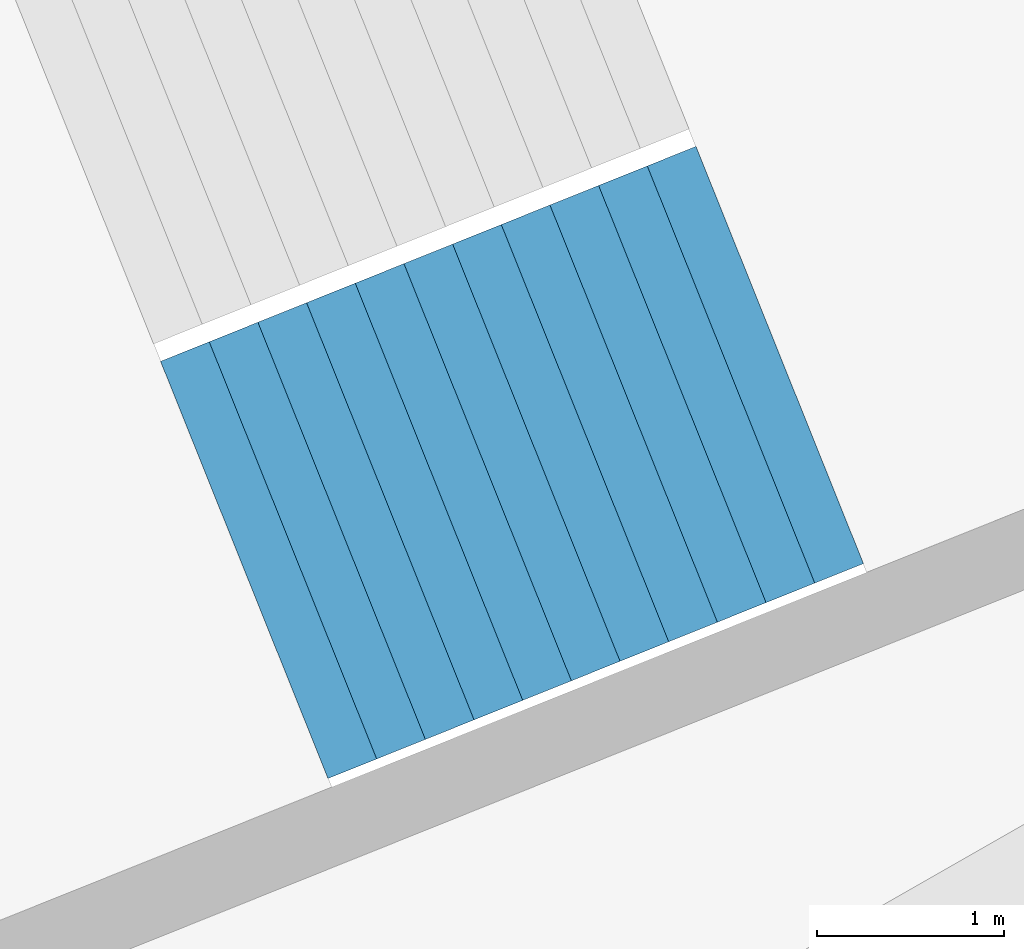
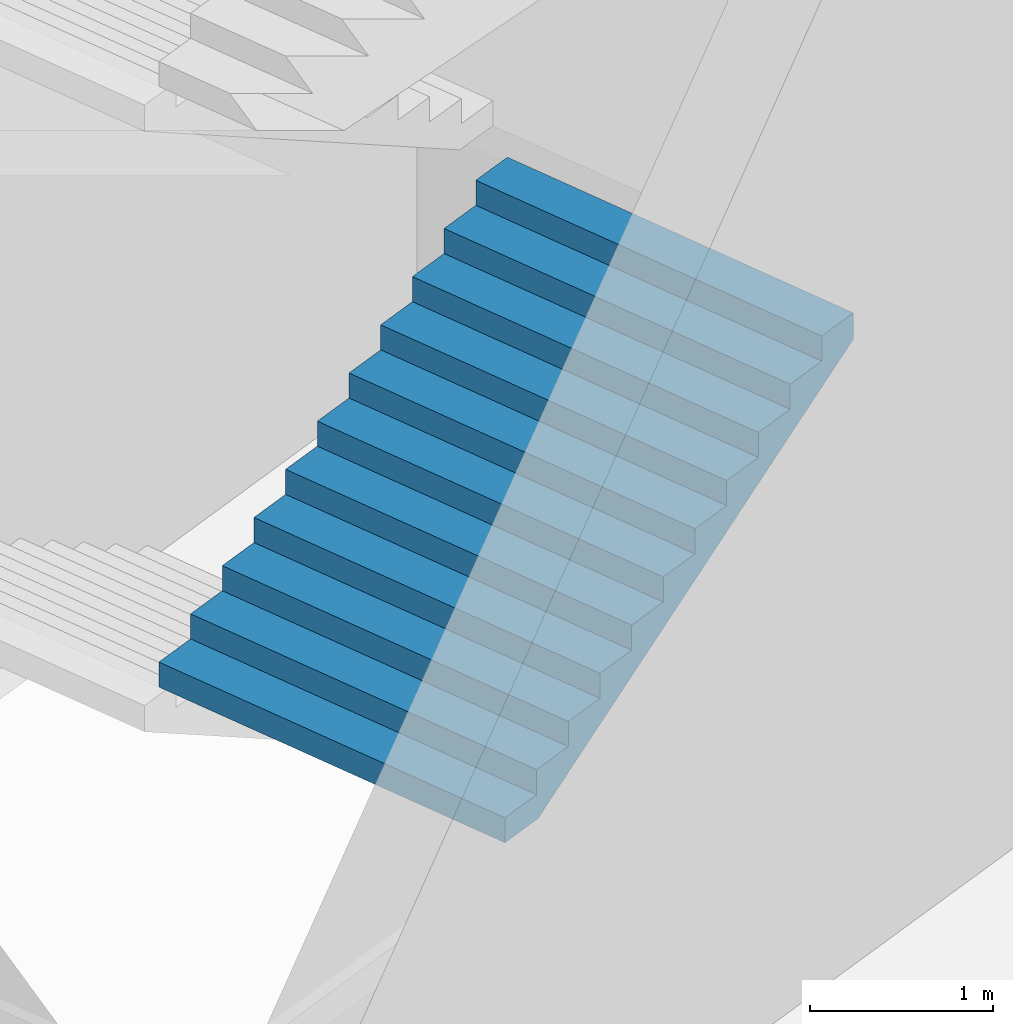
# One storey, part 18 of 74: 1 stair flight, 1 element without a shape of its own.
"""IFC4 building model written with IfcOpenShell, lengths in metres."""

from ifc_helpers import new_model, si_unit, direction, frame, origin, place, context, subcontext, project, spatial, triangles, material, type_object, element, aggregate, save


model = new_model("IFC4")

# Units and contexts
model_context = context("Model", 3, precision=1e-05, world=origin(), true_north=direction((0.0, 1.0)))
body_context = subcontext(model_context, "Body", "Model", "MODEL_VIEW")
ifc_project = project(units=[si_unit("LENGTHUNIT", "METRE"), si_unit("AREAUNIT", "SQUARE_METRE"), si_unit("VOLUMEUNIT", "CUBIC_METRE"), si_unit("PLANEANGLEUNIT", "RADIAN"), si_unit("MASSUNIT", "GRAM", prefix="KILO")], contexts=[model_context])

# Site, building, storey
site_placement = place(None, origin())
site = spatial("IfcSite", under=ifc_project, at=site_placement, CompositionType="ELEMENT")
building_placement = place(site_placement, origin())
building = spatial("IfcBuilding", under=site, at=building_placement, Name="Lantaw Convention Tower", CompositionType="ELEMENT")
storey_placement = place(building_placement, frame((0.0, 0.0, 6.5)))
storey = spatial("IfcBuildingStorey", under=building, at=storey_placement, Name="L01", CompositionType="ELEMENT", Elevation=6.5)

# Stair, stair flight
ifc_material = material(Name="Concrete C35/45", Category="concrete")
stair_type = type_object("IfcStairType", Name="Exit stair 2400 riser 166.67 in 4 flights", PredefinedType="HALF_TURN_STAIR", material=ifc_material)
stair_placement = place(storey_placement, origin())
stair = element("IfcStair", 1, at=stair_placement, inside=storey, type_object=stair_type, Name="Podium exit stair P11 L01", PredefinedType="HALF_TURN_STAIR")
stair_flight_type = type_object("IfcStairFlightType", Name="Stair flight 2400 riser 166.67", PredefinedType="STRAIGHT", material=ifc_material)
stair_flight_placement = place(storey_placement, frame((-31.944580078125, -14.1708984375, 2.0), z_axis=(0.0, 0.0, 1.0), x_axis=(0.928015168305, 0.372542410198, 0.0)))
stair_flight = element("IfcStairFlight", 2, at=stair_flight_placement, type_object=stair_flight_type, Name="P11 flight 2", NumberOfRisers=12, NumberOfTreads=11, PredefinedType="STRAIGHT", RiserHeight=0.166666667, TreadLength=0.28, context=body_context, shape_type="Tessellation", body=[
    triangles([(0.0, 1.199951171875, 0.0), (0.0, 1.199951171875, 0.166666667), (0.28, 1.199951171875, 0.0), (0.28, 1.199951171875, 0.166666667), (0.28, 1.199951171875, 0.333333334), (0.29307345806906726, 1.199951171875, 0.0), (0.29307345806906726, 1.199951171875, 0.333333334), (0.56, 1.199951171875, 0.15888484670522965), (0.56, 1.199951171875, 0.333333334), (0.56, 1.199951171875, 0.500000001), (0.8400000000000001, 1.199951171875, 0.3255515137052296), (0.8400000000000001, 1.199951171875, 0.500000001), (0.8400000000000001, 1.199951171875, 0.666666668), (1.12, 1.199951171875, 0.4922181807052296), (1.12, 1.199951171875, 0.666666668), (1.12, 1.199951171875, 0.833333335), (1.4000000000000001, 1.199951171875, 0.6588848477052296), (1.4000000000000001, 1.199951171875, 0.833333335), (1.4000000000000001, 1.199951171875, 1.000000002), (1.6800000000000002, 1.199951171875, 0.8255515147052296), (1.6800000000000002, 1.199951171875, 1.000000002), (1.6800000000000002, 1.199951171875, 1.166666669), (1.9600000000000002, 1.199951171875, 0.9922181817052296), (1.9600000000000002, 1.199951171875, 1.166666669), (1.9600000000000002, 1.199951171875, 1.333333336), (2.24, 1.199951171875, 1.1588848487052295), (2.24, 1.199951171875, 1.333333336), (2.24, 1.199951171875, 1.5000000029999998), (2.5200000000000005, 1.199951171875, 1.3255515157052296), (2.5200000000000005, 1.199951171875, 1.5000000029999998), (2.5200000000000005, 1.199951171875, 1.66666667), (2.8000000000000003, 1.199951171875, 1.4922181827052294), (2.8000000000000003, 1.199951171875, 1.66666667), (2.8000000000000003, 1.199951171875, 1.833333337), (3.08, 1.199951171875, 1.6588848497052293), (3.08, 1.199951171875, 1.833333337), (0.0, -1.199951171875, 0.0), (0.0, -1.199951171875, 0.166666667), (0.28, -1.199951171875, 0.0), (0.28, -1.199951171875, 0.166666667), (0.28, -1.199951171875, 0.333333334), (0.29307345806906726, -1.199951171875, 0.0), (0.29307345806906726, -1.199951171875, 0.333333334), (0.56, -1.199951171875, 0.15888484670522965), (0.56, -1.199951171875, 0.333333334), (0.56, -1.199951171875, 0.500000001), (0.8400000000000001, -1.199951171875, 0.3255515137052296), (0.8400000000000001, -1.199951171875, 0.500000001), (0.8400000000000001, -1.199951171875, 0.666666668), (1.12, -1.199951171875, 0.4922181807052296), (1.12, -1.199951171875, 0.666666668), (1.12, -1.199951171875, 0.833333335), (1.4000000000000001, -1.199951171875, 0.6588848477052296), (1.4000000000000001, -1.199951171875, 0.833333335), (1.4000000000000001, -1.199951171875, 1.000000002), (1.6800000000000002, -1.199951171875, 0.8255515147052296), (1.6800000000000002, -1.199951171875, 1.000000002), (1.6800000000000002, -1.199951171875, 1.166666669), (1.9600000000000002, -1.199951171875, 0.9922181817052296), (1.9600000000000002, -1.199951171875, 1.166666669), (1.9600000000000002, -1.199951171875, 1.333333336), (2.24, -1.199951171875, 1.1588848487052295), (2.24, -1.199951171875, 1.333333336), (2.24, -1.199951171875, 1.5000000029999998), (2.5200000000000005, -1.199951171875, 1.3255515157052296), (2.5200000000000005, -1.199951171875, 1.5000000029999998), (2.5200000000000005, -1.199951171875, 1.66666667), (2.8000000000000003, -1.199951171875, 1.4922181827052294), (2.8000000000000003, -1.199951171875, 1.66666667), (2.8000000000000003, -1.199951171875, 1.833333337), (3.08, -1.199951171875, 1.6588848497052293), (3.08, -1.199951171875, 1.833333337), (0.0, 0.239990234375, 0.166666667), (0.0, 0.239990234375, 0.0), (0.0, 0.1199951171875, 0.166666667), (0.0, 0.1199951171875, 0.0), (0.0, 0.0, 0.166666667), (0.0, 0.0, 0.0), (0.0, -0.1199951171875, 0.166666667), (0.0, -0.1199951171875, 0.0), (0.0, -0.239990234375, 0.166666667), (0.0, -0.239990234375, 0.0), (0.28, 0.239990234375, 0.333333334), (0.28, 0.239990234375, 0.166666667), (0.28, 0.1199951171875, 0.333333334), (0.28, 0.1199951171875, 0.166666667), (0.28, 0.0, 0.333333334), (0.28, 0.0, 0.166666667), (0.28, -0.1199951171875, 0.333333334), (0.28, -0.1199951171875, 0.166666667), (0.28, -0.239990234375, 0.333333334), (0.28, -0.239990234375, 0.166666667), (0.56, 0.239990234375, 0.500000001), (0.56, 0.239990234375, 0.333333334), (0.56, 0.1199951171875, 0.500000001), (0.56, 0.1199951171875, 0.333333334), (0.56, 0.0, 0.500000001), (0.56, 0.0, 0.333333334), (0.56, -0.1199951171875, 0.500000001), (0.56, -0.1199951171875, 0.333333334), (0.56, -0.239990234375, 0.500000001), (0.56, -0.239990234375, 0.333333334), (0.8400000000000001, 0.239990234375, 0.666666668), (0.8400000000000001, 0.239990234375, 0.500000001), (0.8400000000000001, 0.1199951171875, 0.666666668), (0.8400000000000001, 0.1199951171875, 0.500000001), (0.8400000000000001, 0.0, 0.666666668), (0.8400000000000001, 0.0, 0.500000001), (0.8400000000000001, -0.1199951171875, 0.666666668), (0.8400000000000001, -0.1199951171875, 0.500000001), (0.8400000000000001, -0.239990234375, 0.666666668), (0.8400000000000001, -0.239990234375, 0.500000001), (1.12, 0.239990234375, 0.833333335), (1.12, 0.239990234375, 0.666666668), (1.12, 0.1199951171875, 0.833333335), (1.12, 0.1199951171875, 0.666666668), (1.12, 0.0, 0.833333335), (1.12, 0.0, 0.666666668), (1.12, -0.1199951171875, 0.833333335), (1.12, -0.1199951171875, 0.666666668), (1.12, -0.239990234375, 0.833333335), (1.12, -0.239990234375, 0.666666668), (1.4000000000000001, 0.239990234375, 1.000000002), (1.4000000000000001, 0.239990234375, 0.833333335), (1.4000000000000001, 0.1199951171875, 1.000000002), (1.4000000000000001, 0.1199951171875, 0.833333335), (1.4000000000000001, 0.0, 1.000000002), (1.4000000000000001, 0.0, 0.833333335), (1.4000000000000001, -0.1199951171875, 1.000000002), (1.4000000000000001, -0.1199951171875, 0.833333335), (1.4000000000000001, -0.239990234375, 1.000000002), (1.4000000000000001, -0.239990234375, 0.833333335), (1.6800000000000002, 0.239990234375, 1.166666669), (1.6800000000000002, 0.239990234375, 1.000000002), (1.6800000000000002, 0.1199951171875, 1.166666669), (1.6800000000000002, 0.1199951171875, 1.000000002), (1.6800000000000002, 0.0, 1.166666669), (1.6800000000000002, 0.0, 1.000000002), (1.6800000000000002, -0.1199951171875, 1.166666669), (1.6800000000000002, -0.1199951171875, 1.000000002), (1.6800000000000002, -0.239990234375, 1.166666669), (1.6800000000000002, -0.239990234375, 1.000000002), (1.9600000000000002, 0.239990234375, 1.333333336), (1.9600000000000002, 0.239990234375, 1.166666669), (1.9600000000000002, 0.1199951171875, 1.333333336), (1.9600000000000002, 0.1199951171875, 1.166666669), (1.9600000000000002, 0.0, 1.333333336), (1.9600000000000002, 0.0, 1.166666669), (1.9600000000000002, -0.1199951171875, 1.333333336), (1.9600000000000002, -0.1199951171875, 1.166666669), (1.9600000000000002, -0.239990234375, 1.333333336), (1.9600000000000002, -0.239990234375, 1.166666669), (2.24, 0.239990234375, 1.5000000029999998), (2.24, 0.239990234375, 1.333333336), (2.24, 0.1199951171875, 1.5000000029999998), (2.24, 0.1199951171875, 1.333333336), (2.24, 0.0, 1.5000000029999998), (2.24, 0.0, 1.333333336), (2.24, -0.1199951171875, 1.5000000029999998), (2.24, -0.1199951171875, 1.333333336), (2.24, -0.239990234375, 1.5000000029999998), (2.24, -0.239990234375, 1.333333336), (2.5200000000000005, 0.239990234375, 1.66666667), (2.5200000000000005, 0.239990234375, 1.5000000029999998), (2.5200000000000005, 0.1199951171875, 1.66666667), (2.5200000000000005, 0.1199951171875, 1.5000000029999998), (2.5200000000000005, 0.0, 1.66666667), (2.5200000000000005, 0.0, 1.5000000029999998), (2.5200000000000005, -0.1199951171875, 1.66666667), (2.5200000000000005, -0.1199951171875, 1.5000000029999998), (2.5200000000000005, -0.239990234375, 1.66666667), (2.5200000000000005, -0.239990234375, 1.5000000029999998), (2.8000000000000003, 0.239990234375, 1.833333337), (2.8000000000000003, 0.239990234375, 1.66666667), (2.8000000000000003, 0.1199951171875, 1.833333337), (2.8000000000000003, 0.1199951171875, 1.66666667), (2.8000000000000003, 0.0, 1.833333337), (2.8000000000000003, 0.0, 1.66666667), (2.8000000000000003, -0.1199951171875, 1.833333337), (2.8000000000000003, -0.1199951171875, 1.66666667), (2.8000000000000003, -0.239990234375, 1.833333337), (2.8000000000000003, -0.239990234375, 1.66666667), (0.29307345806906726, 0.239990234375, 0.333333334), (0.29307345806906726, 0.1199951171875, 0.333333334), (0.29307345806906726, 0.0, 0.333333334), (0.29307345806906726, -0.1199951171875, 0.333333334), (0.29307345806906726, -0.239990234375, 0.333333334), (3.08, 0.239990234375, 1.833333337), (3.08, 0.1199951171875, 1.833333337), (3.08, 0.0, 1.833333337), (3.08, -0.1199951171875, 1.833333337), (3.08, -0.239990234375, 1.833333337), (3.08, 0.239990234375, 1.6588848497052293), (3.08, 0.1199951171875, 1.6588848497052293), (3.08, 0.0, 1.6588848497052293), (3.08, -0.1199951171875, 1.6588848497052293), (3.08, -0.239990234375, 1.6588848497052293), (2.8000000000000003, 0.239990234375, 1.4922181827052294), (2.8000000000000003, 0.1199951171875, 1.4922181827052294), (2.8000000000000003, 0.0, 1.4922181827052294), (2.8000000000000003, -0.1199951171875, 1.4922181827052294), (2.8000000000000003, -0.239990234375, 1.4922181827052294), (2.5200000000000005, 0.239990234375, 1.3255515157052296), (2.5200000000000005, 0.1199951171875, 1.3255515157052296), (2.5200000000000005, 0.0, 1.3255515157052296), (2.5200000000000005, -0.1199951171875, 1.3255515157052296), (2.5200000000000005, -0.239990234375, 1.3255515157052296), (2.24, 0.239990234375, 1.1588848487052295), (2.24, 0.1199951171875, 1.1588848487052295), (2.24, 0.0, 1.1588848487052295), (2.24, -0.1199951171875, 1.1588848487052295), (2.24, -0.239990234375, 1.1588848487052295), (1.9600000000000002, 0.239990234375, 0.9922181817052296), (1.9600000000000002, 0.1199951171875, 0.9922181817052296), (1.9600000000000002, 0.0, 0.9922181817052296), (1.9600000000000002, -0.1199951171875, 0.9922181817052296), (1.9600000000000002, -0.239990234375, 0.9922181817052296), (1.6800000000000002, 0.239990234375, 0.8255515147052296), (1.6800000000000002, 0.1199951171875, 0.8255515147052296), (1.6800000000000002, 0.0, 0.8255515147052296), (1.6800000000000002, -0.1199951171875, 0.8255515147052296), (1.6800000000000002, -0.239990234375, 0.8255515147052296), (1.4000000000000001, 0.239990234375, 0.6588848477052296), (1.4000000000000001, 0.1199951171875, 0.6588848477052296), (1.4000000000000001, 0.0, 0.6588848477052296), (1.4000000000000001, -0.1199951171875, 0.6588848477052296), (1.4000000000000001, -0.239990234375, 0.6588848477052296), (1.12, 0.239990234375, 0.4922181807052296), (1.12, 0.1199951171875, 0.4922181807052296), (1.12, 0.0, 0.4922181807052296), (1.12, -0.1199951171875, 0.4922181807052296), (1.12, -0.239990234375, 0.4922181807052296), (0.8400000000000001, 0.239990234375, 0.3255515137052296), (0.8400000000000001, 0.1199951171875, 0.3255515137052296), (0.8400000000000001, 0.0, 0.3255515137052296), (0.8400000000000001, -0.1199951171875, 0.3255515137052296), (0.8400000000000001, -0.239990234375, 0.3255515137052296), (0.56, 0.239990234375, 0.15888484670522965), (0.56, 0.1199951171875, 0.15888484670522965), (0.56, 0.0, 0.15888484670522965), (0.56, -0.1199951171875, 0.15888484670522965), (0.56, -0.239990234375, 0.15888484670522965), (0.29307345806906726, 0.239990234375, 0.0), (0.29307345806906726, 0.1199951171875, 0.0), (0.29307345806906726, 0.0, 0.0), (0.29307345806906726, -0.1199951171875, 0.0), (0.29307345806906726, -0.239990234375, 0.0), (0.28, 0.239990234375, 0.0), (0.28, 0.1199951171875, 0.0), (0.28, 0.0, 0.0), (0.28, -0.1199951171875, 0.0), (0.28, -0.239990234375, 0.0)], [[1, 4, 3], [1, 2, 4], [3, 4, 6], [4, 7, 6], [4, 5, 7], [6, 9, 8], [6, 7, 9], [8, 9, 11], [9, 12, 11], [9, 10, 12], [11, 12, 14], [12, 15, 14], [12, 13, 15], [14, 15, 17], [15, 18, 17], [15, 16, 18], [17, 18, 20], [18, 21, 20], [18, 19, 21], [20, 21, 23], [21, 24, 23], [21, 22, 24], [23, 24, 26], [24, 27, 26], [24, 25, 27], [26, 27, 29], [27, 30, 29], [27, 28, 30], [29, 30, 32], [30, 33, 32], [30, 31, 33], [32, 33, 35], [33, 36, 35], [33, 34, 36], [37, 39, 40], [37, 40, 38], [39, 42, 40], [40, 42, 43], [40, 43, 41], [42, 44, 45], [42, 45, 43], [44, 47, 45], [45, 47, 48], [45, 48, 46], [47, 50, 48], [48, 50, 51], [48, 51, 49], [50, 53, 51], [51, 53, 54], [51, 54, 52], [53, 56, 54], [54, 56, 57], [54, 57, 55], [56, 59, 57], [57, 59, 60], [57, 60, 58], [59, 62, 60], [60, 62, 63], [60, 63, 61], [62, 65, 63], [63, 65, 66], [63, 66, 64], [65, 68, 66], [66, 68, 69], [66, 69, 67], [68, 71, 69], [69, 71, 72], [69, 72, 70], [1, 73, 2], [1, 74, 73], [74, 75, 73], [74, 76, 75], [76, 77, 75], [76, 78, 77], [78, 79, 77], [78, 80, 79], [80, 81, 79], [80, 82, 81], [82, 38, 81], [82, 37, 38], [4, 83, 5], [4, 84, 83], [84, 85, 83], [84, 86, 85], [86, 87, 85], [86, 88, 87], [88, 89, 87], [88, 90, 89], [90, 91, 89], [90, 92, 91], [92, 41, 91], [92, 40, 41], [9, 93, 10], [9, 94, 93], [94, 95, 93], [94, 96, 95], [96, 97, 95], [96, 98, 97], [98, 99, 97], [98, 100, 99], [100, 101, 99], [100, 102, 101], [102, 46, 101], [102, 45, 46], [12, 103, 13], [12, 104, 103], [104, 105, 103], [104, 106, 105], [106, 107, 105], [106, 108, 107], [108, 109, 107], [108, 110, 109], [110, 111, 109], [110, 112, 111], [112, 49, 111], [112, 48, 49], [15, 113, 16], [15, 114, 113], [114, 115, 113], [114, 116, 115], [116, 117, 115], [116, 118, 117], [118, 119, 117], [118, 120, 119], [120, 121, 119], [120, 122, 121], [122, 52, 121], [122, 51, 52], [18, 123, 19], [18, 124, 123], [124, 125, 123], [124, 126, 125], [126, 127, 125], [126, 128, 127], [128, 129, 127], [128, 130, 129], [130, 131, 129], [130, 132, 131], [132, 55, 131], [132, 54, 55], [21, 133, 22], [21, 134, 133], [134, 135, 133], [134, 136, 135], [136, 137, 135], [136, 138, 137], [138, 139, 137], [138, 140, 139], [140, 141, 139], [140, 142, 141], [142, 58, 141], [142, 57, 58], [24, 143, 25], [24, 144, 143], [144, 145, 143], [144, 146, 145], [146, 147, 145], [146, 148, 147], [148, 149, 147], [148, 150, 149], [150, 151, 149], [150, 152, 151], [152, 61, 151], [152, 60, 61], [27, 153, 28], [27, 154, 153], [154, 155, 153], [154, 156, 155], [156, 157, 155], [156, 158, 157], [158, 159, 157], [158, 160, 159], [160, 161, 159], [160, 162, 161], [162, 64, 161], [162, 63, 64], [30, 163, 31], [30, 164, 163], [164, 165, 163], [164, 166, 165], [166, 167, 165], [166, 168, 167], [168, 169, 167], [168, 170, 169], [170, 171, 169], [170, 172, 171], [172, 67, 171], [172, 66, 67], [33, 173, 34], [33, 174, 173], [174, 175, 173], [174, 176, 175], [176, 177, 175], [176, 178, 177], [178, 179, 177], [178, 180, 179], [180, 181, 179], [180, 182, 181], [182, 70, 181], [182, 69, 70], [2, 84, 4], [2, 73, 84], [73, 86, 84], [73, 75, 86], [75, 88, 86], [75, 77, 88], [77, 90, 88], [77, 79, 90], [79, 92, 90], [79, 81, 92], [81, 40, 92], [81, 38, 40], [5, 183, 7], [5, 83, 183], [83, 184, 183], [83, 85, 184], [85, 185, 184], [85, 87, 185], [87, 186, 185], [87, 89, 186], [89, 187, 186], [89, 91, 187], [91, 43, 187], [91, 41, 43], [7, 94, 9], [7, 183, 94], [183, 96, 94], [183, 184, 96], [184, 98, 96], [184, 185, 98], [185, 100, 98], [185, 186, 100], [186, 102, 100], [186, 187, 102], [187, 45, 102], [187, 43, 45], [10, 104, 12], [10, 93, 104], [93, 106, 104], [93, 95, 106], [95, 108, 106], [95, 97, 108], [97, 110, 108], [97, 99, 110], [99, 112, 110], [99, 101, 112], [101, 48, 112], [101, 46, 48], [13, 114, 15], [13, 103, 114], [103, 116, 114], [103, 105, 116], [105, 118, 116], [105, 107, 118], [107, 120, 118], [107, 109, 120], [109, 122, 120], [109, 111, 122], [111, 51, 122], [111, 49, 51], [16, 124, 18], [16, 113, 124], [113, 126, 124], [113, 115, 126], [115, 128, 126], [115, 117, 128], [117, 130, 128], [117, 119, 130], [119, 132, 130], [119, 121, 132], [121, 54, 132], [121, 52, 54], [19, 134, 21], [19, 123, 134], [123, 136, 134], [123, 125, 136], [125, 138, 136], [125, 127, 138], [127, 140, 138], [127, 129, 140], [129, 142, 140], [129, 131, 142], [131, 57, 142], [131, 55, 57], [22, 144, 24], [22, 133, 144], [133, 146, 144], [133, 135, 146], [135, 148, 146], [135, 137, 148], [137, 150, 148], [137, 139, 150], [139, 152, 150], [139, 141, 152], [141, 60, 152], [141, 58, 60], [25, 154, 27], [25, 143, 154], [143, 156, 154], [143, 145, 156], [145, 158, 156], [145, 147, 158], [147, 160, 158], [147, 149, 160], [149, 162, 160], [149, 151, 162], [151, 63, 162], [151, 61, 63], [28, 164, 30], [28, 153, 164], [153, 166, 164], [153, 155, 166], [155, 168, 166], [155, 157, 168], [157, 170, 168], [157, 159, 170], [159, 172, 170], [159, 161, 172], [161, 66, 172], [161, 64, 66], [31, 174, 33], [31, 163, 174], [163, 176, 174], [163, 165, 176], [165, 178, 176], [165, 167, 178], [167, 180, 178], [167, 169, 180], [169, 182, 180], [169, 171, 182], [171, 69, 182], [171, 67, 69], [34, 188, 36], [34, 173, 188], [173, 189, 188], [173, 175, 189], [175, 190, 189], [175, 177, 190], [177, 191, 190], [177, 179, 191], [179, 192, 191], [179, 181, 192], [181, 72, 192], [181, 70, 72], [36, 193, 35], [36, 188, 193], [188, 194, 193], [188, 189, 194], [189, 195, 194], [189, 190, 195], [190, 196, 195], [190, 191, 196], [191, 197, 196], [191, 192, 197], [192, 71, 197], [192, 72, 71], [35, 198, 32], [35, 193, 198], [193, 199, 198], [193, 194, 199], [194, 200, 199], [194, 195, 200], [195, 201, 200], [195, 196, 201], [196, 202, 201], [196, 197, 202], [197, 68, 202], [197, 71, 68], [32, 203, 29], [32, 198, 203], [198, 204, 203], [198, 199, 204], [199, 205, 204], [199, 200, 205], [200, 206, 205], [200, 201, 206], [201, 207, 206], [201, 202, 207], [202, 65, 207], [202, 68, 65], [29, 208, 26], [29, 203, 208], [203, 209, 208], [203, 204, 209], [204, 210, 209], [204, 205, 210], [205, 211, 210], [205, 206, 211], [206, 212, 211], [206, 207, 212], [207, 62, 212], [207, 65, 62], [26, 213, 23], [26, 208, 213], [208, 214, 213], [208, 209, 214], [209, 215, 214], [209, 210, 215], [210, 216, 215], [210, 211, 216], [211, 217, 216], [211, 212, 217], [212, 59, 217], [212, 62, 59], [23, 218, 20], [23, 213, 218], [213, 219, 218], [213, 214, 219], [214, 220, 219], [214, 215, 220], [215, 221, 220], [215, 216, 221], [216, 222, 221], [216, 217, 222], [217, 56, 222], [217, 59, 56], [20, 223, 17], [20, 218, 223], [218, 224, 223], [218, 219, 224], [219, 225, 224], [219, 220, 225], [220, 226, 225], [220, 221, 226], [221, 227, 226], [221, 222, 227], [222, 53, 227], [222, 56, 53], [17, 228, 14], [17, 223, 228], [223, 229, 228], [223, 224, 229], [224, 230, 229], [224, 225, 230], [225, 231, 230], [225, 226, 231], [226, 232, 231], [226, 227, 232], [227, 50, 232], [227, 53, 50], [14, 233, 11], [14, 228, 233], [228, 234, 233], [228, 229, 234], [229, 235, 234], [229, 230, 235], [230, 236, 235], [230, 231, 236], [231, 237, 236], [231, 232, 237], [232, 47, 237], [232, 50, 47], [11, 238, 8], [11, 233, 238], [233, 239, 238], [233, 234, 239], [234, 240, 239], [234, 235, 240], [235, 241, 240], [235, 236, 241], [236, 242, 241], [236, 237, 242], [237, 44, 242], [237, 47, 44], [8, 243, 6], [8, 238, 243], [238, 244, 243], [238, 239, 244], [239, 245, 244], [239, 240, 245], [240, 246, 245], [240, 241, 246], [241, 247, 246], [241, 242, 247], [242, 42, 247], [242, 44, 42], [6, 248, 3], [6, 243, 248], [243, 249, 248], [243, 244, 249], [244, 250, 249], [244, 245, 250], [245, 251, 250], [245, 246, 251], [246, 252, 251], [246, 247, 252], [247, 39, 252], [247, 42, 39], [3, 74, 1], [3, 248, 74], [248, 76, 74], [248, 249, 76], [249, 78, 76], [249, 250, 78], [250, 80, 78], [250, 251, 80], [251, 82, 80], [251, 252, 82], [252, 37, 82], [252, 39, 37]], closed=True),
])
aggregate(stair, [stair_flight])

save(model, "model.ifc")
